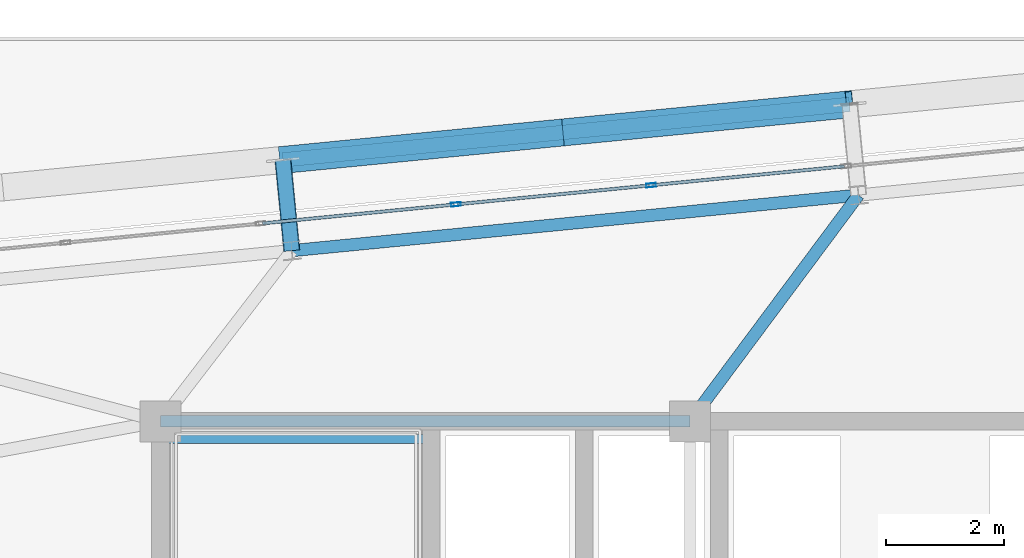
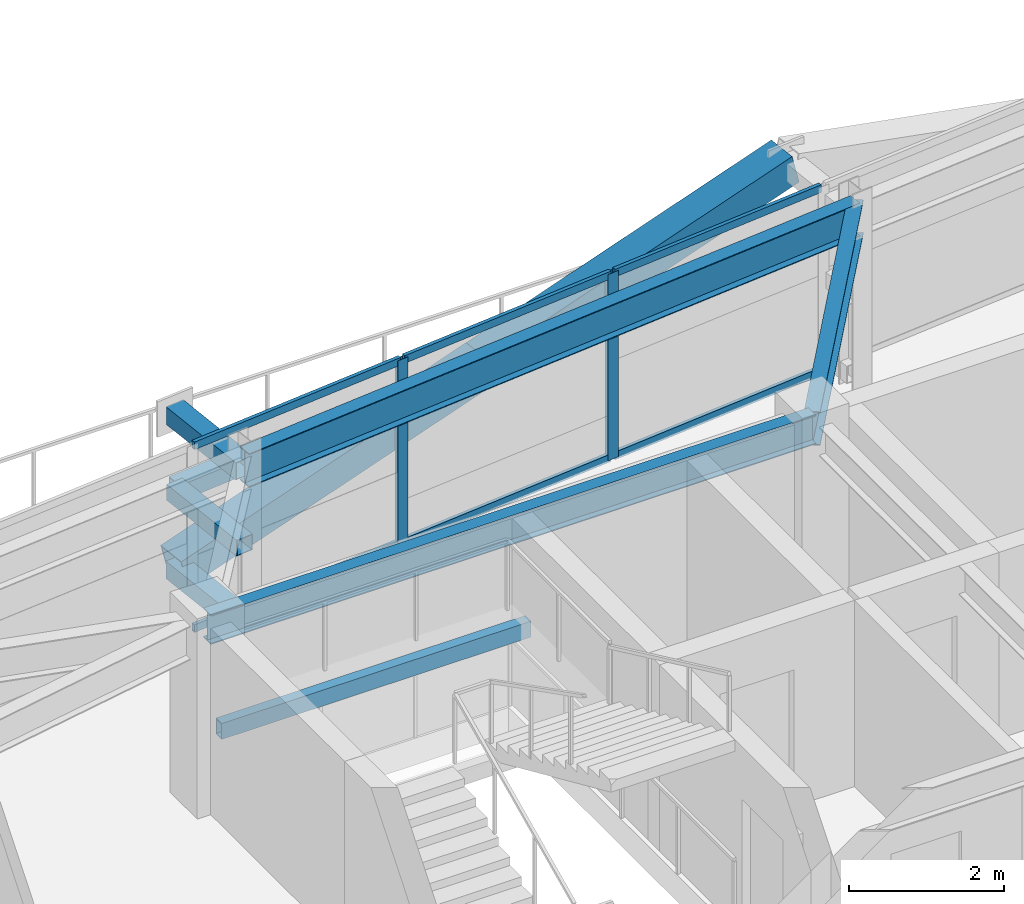
# One storey, part 28 of 51: 14 members, 4 beams, 1 element without a shape of its own.
"""IFC4 building model written with IfcOpenShell, lengths in metres."""

from ifc_helpers import new_model, si_unit, direction, frame, origin, origin_2d, place, context, subcontext, project, spatial, hollow_rectangle, i_section, extrude, source, transform, mapped, material, layer, layer_set, material_profile, profile_set, type_object, element, aggregate, save


model = new_model("IFC4")

# Units and contexts
model_context = context("Model", 3, precision=1e-05, world=origin(), true_north=direction((0.0, 1.0)))
body_context = subcontext(model_context, "Body", "Model", "MODEL_VIEW")
ifc_project = project(units=[si_unit("LENGTHUNIT", "METRE"), si_unit("AREAUNIT", "SQUARE_METRE"), si_unit("VOLUMEUNIT", "CUBIC_METRE"), si_unit("PLANEANGLEUNIT", "RADIAN"), si_unit("MASSUNIT", "GRAM", prefix="KILO")], contexts=[model_context])

# Site, building, storey
site_placement = place(None, origin())
site = spatial("IfcSite", under=ifc_project, at=site_placement, CompositionType="ELEMENT")
building_placement = place(site_placement, origin())
building = spatial("IfcBuilding", under=site, at=building_placement, Name="Taldren Reach Tower", CompositionType="ELEMENT")
storey_placement = place(building_placement, frame((0.0, 0.0, 65.10009765625)))
storey = spatial("IfcBuildingStorey", under=building, at=storey_placement, Name="L19", CompositionType="ELEMENT", Elevation=65.10009765625)

# Beams
ifc_material_1 = material(Name="Steel Gr 350 (350PLUS)", Category="steel")
ifc_material_profile_1 = material_profile(ifc_material_1, i_section(OverallWidth=0.19091796875, OverallDepth=0.4599609375, WebThickness=0.010009765625, FlangeThickness=0.01611328125, at=origin_2d()), Name="460UB82.1")
ifc_profile_set_1 = profile_set([ifc_material_profile_1], Name="Steel Gr 350 (350PLUS)")
beam_type_1 = type_object("IfcBeamType", Name="BM-UB460A", PredefinedType="BEAM", material=ifc_profile_set_1)
shared_shape_1 = source(origin(), body_context, "Body", "SweptSolid", [
    extrude(i_section(OverallWidth=0.19091796875, OverallDepth=0.4599609375, WebThickness=0.010009765625, FlangeThickness=0.01611328125, at=origin_2d()), origin(), (0.0, 0.0, 1.0), 9.0),
])
beam_1_placement = place(storey_placement, frame((19.0, 32.0, 2.699951171875), z_axis=(1.0, 0.0, 0.0), x_axis=(0.0, 1.0, 0.0)))
element("IfcBeam", 1, at=beam_1_placement, inside=storey, type_object=beam_type_1, Name="Core-spine girder L19-SP04", PredefinedType="BEAM", context=body_context, shape_type="MappedRepresentation", body=[
    mapped(shared_shape_1, transform((0.0, 0.0, 0.0), scale=1.0)),
])
ifc_material_profile_2 = material_profile(ifc_material_1, i_section(OverallWidth=0.208984375, OverallDepth=0.528076171875, WebThickness=0.009521484375, FlangeThickness=0.01318359375, at=origin_2d()), Name="530UB82.0")
ifc_profile_set_2 = profile_set([ifc_material_profile_2], Name="Steel Gr 350 (350PLUS)")
beam_type_2 = type_object("IfcBeamType", Name="SP-UB530B", PredefinedType="SPANDREL", material=ifc_profile_set_2)
shared_shape_2 = source(origin(), body_context, "Body", "SweptSolid", [
    extrude(i_section(OverallWidth=0.208984375, OverallDepth=0.528076171875, WebThickness=0.009521484375, FlangeThickness=0.01318359375, at=origin_2d()), origin(), (0.0, 0.0, 1.0), 9.679931640625),
])
beam_2_placement = place(storey_placement, frame((30.864501953125, 35.84619140625, 2.666015625), z_axis=(-0.995225162995, -0.097605711627, 0.0), x_axis=(0.097605711627, -0.995225162995, 0.0)))
element("IfcBeam", 2, at=beam_2_placement, inside=storey, type_object=beam_type_2, Name="Perimeter spandrel B2 N3-N2 L19", PredefinedType="SPANDREL", context=body_context, shape_type="MappedRepresentation", body=[
    mapped(shared_shape_2, transform((0.0, 0.0, 0.0), scale=1.0)),
])
ifc_material_profile_3 = material_profile(ifc_material_1, i_section(OverallWidth=0.208984375, OverallDepth=0.532958984375, WebThickness=0.01025390625, FlangeThickness=0.015625, at=origin_2d()), Name="530UB92.4")
ifc_profile_set_3 = profile_set([ifc_material_profile_3], Name="Steel Gr 350 (350PLUS)")
beam_type_3 = type_object("IfcBeamType", Name="BM-UB530A", PredefinedType="BEAM", material=ifc_profile_set_3)
shared_shape_3 = source(origin(), body_context, "Body", "SweptSolid", [
    extrude(i_section(OverallWidth=0.208984375, OverallDepth=0.532958984375, WebThickness=0.01025390625, FlangeThickness=0.015625, at=origin_2d()), origin(), (0.0, 0.0, 1.0), 4.795654296875),
])
beam_3_placement = place(storey_placement, frame((28.0, 32.0, 2.663330078125), z_axis=(0.59730864792, 0.802011458223, 0.0), x_axis=(-0.802011458223, 0.59730864792, 0.0)))
element("IfcBeam", 3, at=beam_3_placement, inside=storey, type_object=beam_type_3, Name="Primary floor girder B2-N3 L19", PredefinedType="BEAM", context=body_context, shape_type="MappedRepresentation", body=[
    mapped(shared_shape_3, transform((0.0, 0.0, 0.0), scale=1.0)),
])

# Members
ifc_material_2 = material(Name="Steel Gr 450 (C450L0)", Category="steel")
ifc_material_profile_4 = material_profile(ifc_material_2, hollow_rectangle(XDim=0.27490234375, YDim=0.27490234375, WallThickness=0.00927734375, at=origin_2d()), Name="275x275x9.3SHS")
ifc_profile_set_4 = profile_set([ifc_material_profile_4], Name="Steel Gr 450 (C450L0)")
member_type_1 = type_object("IfcMemberType", Name="MB-TIE273", PredefinedType="STRUT", material=ifc_profile_set_4)
shared_shape_4 = source(origin(), body_context, "Body", "SweptSolid", [
    extrude(hollow_rectangle(XDim=0.27490234375, YDim=0.27490234375, WallThickness=0.00927734375, at=origin_2d()), origin(), (0.0, 0.0, 1.0), 1.550048828125),
])
for number, where, z_axis, x_axis, name in (
    (4, (21.230712890625, 34.9013671875, 2.64990234375), (-0.097647892962, 0.9952210252, 0.0), (-0.9952210252, -0.097647892962, 0.0), "Exoskeleton diaphragm tie strut B2-N2 L19"),
    (5, (21.230712890625, 34.9013671875, 0.219970703125), (-0.097647892962, 0.9952210252, 0.0), (-0.9952210252, -0.097647892962, 0.0), "Exoskeleton base diaphragm tie strut B2-N2 L19"),
):
    element("IfcMember", number, at=place(storey_placement, frame(where, z_axis=z_axis, x_axis=x_axis)), inside=storey, type_object=member_type_1, Name=name, PredefinedType="STRUT", context=body_context, shape_type="MappedRepresentation", body=[
        mapped(shared_shape_4, transform((0.0, 0.0, 0.0), scale=1.0)),
    ])
ifc_material_profile_5 = material_profile(ifc_material_2, hollow_rectangle(XDim=0.4599609375, YDim=0.4599609375, WallThickness=0.01611328125, at=origin_2d()), Name="460x460x16.0SHS")
ifc_profile_set_5 = profile_set([ifc_material_profile_5], Name="Steel Gr 450 (C450L0)")
member_type_2 = type_object("IfcMemberType", Name="MB-EXO457", PredefinedType="BRACE", material=ifc_profile_set_5)
shared_shape_5 = source(origin(), body_context, "Body", "SweptSolid", [
    extrude(hollow_rectangle(XDim=0.4599609375, YDim=0.4599609375, WallThickness=0.01611328125, at=origin_2d()), origin(), (0.0, 0.0, 1.0), 4.990234375),
])
for number, where, z_axis, x_axis, name in (
    (6, (21.079345703125, 36.444091796875, 0.219970703125), (0.965282554799, 0.094669120301, 0.243448859234), (-0.097605711627, 0.995225162995, 0.0), "Exoskeleton Diagrid Brace B2-N2 L19"),
    (7, (25.896240234375, 36.91650390625, 1.434814453125), (0.965275526283, 0.094619506732, 0.243496010862), (-0.097555749586, 0.995230061706, 0.0), "Exoskeleton Diagrid Brace B2-N2 L19"),
):
    element("IfcMember", number, at=place(storey_placement, frame(where, z_axis=z_axis, x_axis=x_axis)), inside=storey, type_object=member_type_2, Name=name, PredefinedType="BRACE", context=body_context, shape_type="MappedRepresentation", body=[
        mapped(shared_shape_5, transform((0.0, 0.0, 0.0), scale=1.0)),
    ])
ifc_material_3 = material(Name="Steel Gr 350 (C350L0)", Category="steel")
ifc_material_profile_6 = material_profile(ifc_material_3, hollow_rectangle(XDim=0.25, YDim=0.25, WallThickness=0.010009765625, at=origin_2d()), Name="250x250x10.0SHS")
ifc_profile_set_6 = profile_set([ifc_material_profile_6], Name="Steel Gr 350 (C350L0)")
member_type_3 = type_object("IfcMemberType", Name="MB-POST250", PredefinedType="POST", material=ifc_profile_set_6)
shared_shape_6 = source(origin(), body_context, "Body", "SweptSolid", [
    extrude(hollow_rectangle(XDim=0.25, YDim=0.25, WallThickness=0.010009765625, at=origin_2d()), origin(), (0.0, 0.0, 1.0), 9.679931640625),
])
member_1_placement = place(storey_placement, frame((21.079345703125, 36.444091796875, 1.434814453125), z_axis=(0.995227612658, 0.097580730699, 0.0), x_axis=(-0.097580730699, 0.995227612658, 0.0)))
element("IfcMember", 8, at=member_1_placement, inside=storey, type_object=member_type_3, Name="Exoskeleton mid-height ring chord B2-N2 L19", PredefinedType="POST", context=body_context, shape_type="MappedRepresentation", body=[
    mapped(shared_shape_6, transform((0.0, 0.0, 0.0), scale=1.0)),
])
shared_shape_7 = source(origin(), body_context, "Body", "SweptSolid", [
    extrude(hollow_rectangle(XDim=0.25, YDim=0.25, WallThickness=0.010009765625, at=origin_2d()), origin(), (0.0, 0.0, 1.0), 1.550048828125),
])
member_2_placement = place(storey_placement, frame((21.230712890625, 34.9013671875, 1.434814453125), z_axis=(-0.097647892962, 0.9952210252, 0.0), x_axis=(-0.9952210252, -0.097647892962, 0.0)))
element("IfcMember", 9, at=member_2_placement, inside=storey, type_object=member_type_3, Name="Exoskeleton mid-tier diaphragm tie B2-N2 L19", PredefinedType="POST", context=body_context, shape_type="MappedRepresentation", body=[
    mapped(shared_shape_7, transform((0.0, 0.0, 0.0), scale=1.0)),
])

# Curtain wall, members
ifc_material_4 = material(Name="Aluminium and Low-E Glass Unitised System", Category="aluminium")
ifc_layer = layer(ifc_material_4, 0.159912109375)
ifc_layer_set = layer_set([ifc_layer], Name="Aluminium and Low-E Glass Unitised System")
curtain_wall_type = type_object("IfcCurtainWallType", Name="CW-SYS-3", PredefinedType="NOTDEFINED", material=ifc_layer_set)
curtain_wall_placement = place(storey_placement, origin())
curtain_wall = element("IfcCurtainWall", 10, at=curtain_wall_placement, inside=storey, type_object=curtain_wall_type, Name="Unitised curtain wall CW-L19-N", PredefinedType="NOTDEFINED")
ifc_material_5 = material(Name="Anodised Aluminium 6063-T6", Category="aluminium")
ifc_material_profile_7 = material_profile(ifc_material_5, hollow_rectangle(XDim=0.06494140625, YDim=0.1650390625, WallThickness=0.00390625, at=origin_2d()), Name="ALU-165x65x4RHS")
ifc_profile_set_7 = profile_set([ifc_material_profile_7], Name="Anodised Aluminium 6063-T6")
member_type_4 = type_object("IfcMemberType", Name="CW-MUL-165", PredefinedType="MULLION", material=ifc_profile_set_7)
shared_shape_8 = source(origin(), body_context, "Body", "SweptSolid", [
    extrude(hollow_rectangle(XDim=0.06494140625, YDim=0.1650390625, WallThickness=0.00390625, at=origin_2d()), origin(), (0.0, 0.0, 1.0), 2.929931640625),
])
member_3_placement = place(storey_placement, frame((27.337890625, 36.0126953125, 0.0), z_axis=(0.0, 0.0, 1.0), x_axis=(0.097582999046, -0.995227390247, 0.0)))
member_3 = element("IfcMember", 11, at=member_3_placement, type_object=member_type_4, Name="CW-3 mullion 11", PredefinedType="MULLION", context=body_context, shape_type="MappedRepresentation", body=[
    mapped(shared_shape_8, transform((0.0, 0.0, 0.0), scale=1.0)),
])
member_4_placement = place(storey_placement, frame((24.0205078125, 35.6875, 0.0), z_axis=(0.0, 0.0, 1.0), x_axis=(0.097582999046, -0.995227390247, 0.0)))
member_4 = element("IfcMember", 12, at=member_4_placement, type_object=member_type_4, Name="CW-3 mullion 12", PredefinedType="MULLION", context=body_context, shape_type="MappedRepresentation", body=[
    mapped(shared_shape_8, transform((0.0, 0.0, 0.0), scale=1.0)),
])
ifc_material_profile_8 = material_profile(ifc_material_5, hollow_rectangle(XDim=0.054931640625, YDim=0.1201171875, WallThickness=0.0029296875, at=origin_2d()), Name="ALU-120x55x3RHS")
ifc_profile_set_8 = profile_set([ifc_material_profile_8], Name="Anodised Aluminium 6063-T6")
member_type_5 = type_object("IfcMemberType", Name="CW-TRN-135", PredefinedType="USERDEFINED", material=ifc_profile_set_8)
shared_shape_9 = source(origin(), body_context, "Body", "SweptSolid", [
    extrude(hollow_rectangle(XDim=0.054931640625, YDim=0.1201171875, WallThickness=0.0029296875, at=origin_2d()), origin(), (0.0, 0.0, 1.0), 3.268310546875),
])
member_5_placement = place(storey_placement, frame((30.623046875, 36.3349609375, 0.02734375), z_axis=(-0.995222549564, -0.097632355496, 0.0), x_axis=(0.097632355496, -0.995222549564, 0.0)))
member_5 = element("IfcMember", 13, at=member_5_placement, type_object=member_type_5, Name="CW-3 transom 10.1", ObjectType="TRANSOM", PredefinedType="USERDEFINED", context=body_context, shape_type="MappedRepresentation", body=[
    mapped(shared_shape_9, transform((0.0, 0.0, 0.0), scale=1.0)),
])
member_6_placement = place(storey_placement, frame((30.623046875, 36.3349609375, 2.90234375), z_axis=(-0.995222549564, -0.097632355496, 0.0), x_axis=(0.097632355496, -0.995222549564, 0.0)))
member_6 = element("IfcMember", 14, at=member_6_placement, type_object=member_type_5, Name="CW-3 transom 10.2", ObjectType="TRANSOM", PredefinedType="USERDEFINED", context=body_context, shape_type="MappedRepresentation", body=[
    mapped(shared_shape_9, transform((0.0, 0.0, 0.0), scale=1.0)),
])
member_7_placement = place(storey_placement, frame((27.3056640625, 36.009521484375, 0.02734375), z_axis=(-0.99522980512, -0.097558367146, 0.0), x_axis=(0.097558367146, -0.99522980512, 0.0)))
member_7 = element("IfcMember", 15, at=member_7_placement, type_object=member_type_5, Name="CW-3 transom 11.1", ObjectType="TRANSOM", PredefinedType="USERDEFINED", context=body_context, shape_type="MappedRepresentation", body=[
    mapped(shared_shape_9, transform((0.0, 0.0, 0.0), scale=1.0)),
])
member_8_placement = place(storey_placement, frame((27.3056640625, 36.009521484375, 2.90234375), z_axis=(-0.99522980512, -0.097558367146, 0.0), x_axis=(0.097558367146, -0.99522980512, 0.0)))
member_8 = element("IfcMember", 16, at=member_8_placement, type_object=member_type_5, Name="CW-3 transom 11.2", ObjectType="TRANSOM", PredefinedType="USERDEFINED", context=body_context, shape_type="MappedRepresentation", body=[
    mapped(shared_shape_9, transform((0.0, 0.0, 0.0), scale=1.0)),
])
member_9_placement = place(storey_placement, frame((23.98828125, 35.684326171875, 0.02734375), z_axis=(-0.99522980512, -0.097558367146, 0.0), x_axis=(0.097558367146, -0.99522980512, 0.0)))
member_9 = element("IfcMember", 17, at=member_9_placement, type_object=member_type_5, Name="CW-3 transom 12.1", ObjectType="TRANSOM", PredefinedType="USERDEFINED", context=body_context, shape_type="MappedRepresentation", body=[
    mapped(shared_shape_9, transform((0.0, 0.0, 0.0), scale=1.0)),
])
member_10_placement = place(storey_placement, frame((23.98828125, 35.684326171875, 2.90234375), z_axis=(-0.99522980512, -0.097558367146, 0.0), x_axis=(0.097558367146, -0.99522980512, 0.0)))
member_10 = element("IfcMember", 18, at=member_10_placement, type_object=member_type_5, Name="CW-3 transom 12.2", ObjectType="TRANSOM", PredefinedType="USERDEFINED", context=body_context, shape_type="MappedRepresentation", body=[
    mapped(shared_shape_9, transform((0.0, 0.0, 0.0), scale=1.0)),
])
aggregate(curtain_wall, [member_3, member_4, member_5, member_6, member_7, member_8, member_9, member_10])

# Beam
ifc_material_profile_9 = material_profile(ifc_material_3, hollow_rectangle(XDim=0.14990234375, YDim=0.25, WallThickness=0.009033203125, at=origin_2d()), Name="250x150x9.0RHS")
ifc_profile_set_9 = profile_set([ifc_material_profile_9], Name="Steel Gr 350 (C350L0)")
beam_type_4 = type_object("IfcBeamType", Name="LN-RHS250", PredefinedType="LINTEL", material=ifc_profile_set_9)
shared_shape_10 = source(origin(), body_context, "Body", "SweptSolid", [
    extrude(hollow_rectangle(XDim=0.14990234375, YDim=0.25, WallThickness=0.009033203125, at=origin_2d()), origin(), (0.0, 0.0, 1.0), 4.60009765625),
])
beam_4_placement = place(storey_placement, frame((19.0, 31.699951171875, 1.27001953125), z_axis=(1.0, 0.0, 0.0), x_axis=(0.0, 1.0, 0.0)))
element("IfcBeam", 19, at=beam_4_placement, inside=storey, type_object=beam_type_4, Name="Stair half-landing support beam ST1-L19-2", PredefinedType="LINTEL", context=body_context, shape_type="MappedRepresentation", body=[
    mapped(shared_shape_10, transform((0.0, 0.0, 0.0), scale=1.0)),
])

save(model, "model.ifc")
